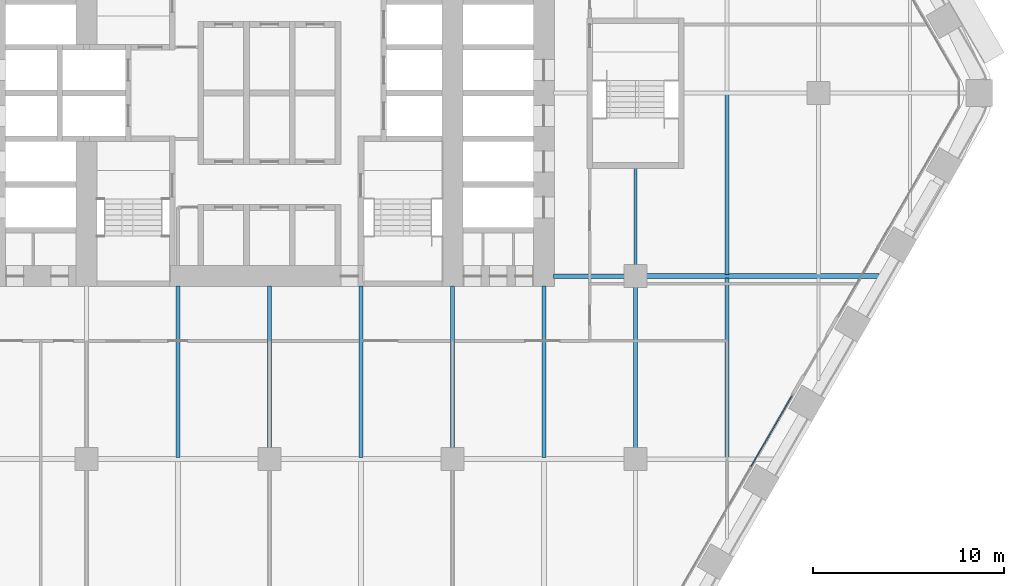
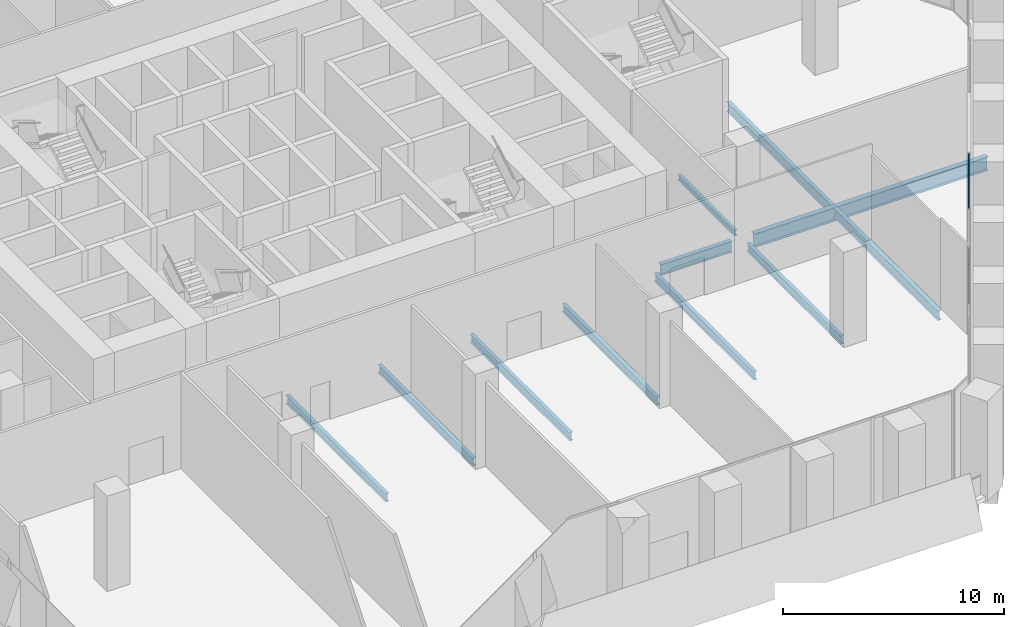
# One storey, part 6 of 27: 11 beams, 2 members, 1 element without a shape of its own.
"""IFC4 building model written with IfcOpenShell, lengths in metres."""

from ifc_helpers import new_model, si_unit, direction, frame, origin, origin_2d, place, context, subcontext, project, spatial, rectangle, i_section, extrude, material, material_profile, profile_set, type_object, element, aggregate, save


model = new_model("IFC4")

# Units and contexts
model_context = context("Model", 3, precision=1e-05, world=origin(), true_north=direction((0.0, 1.0)))
body_context = subcontext(model_context, "Body", "Model", "MODEL_VIEW")
ifc_project = project(units=[si_unit("LENGTHUNIT", "METRE"), si_unit("AREAUNIT", "SQUARE_METRE"), si_unit("VOLUMEUNIT", "CUBIC_METRE"), si_unit("PLANEANGLEUNIT", "RADIAN"), si_unit("MASSUNIT", "GRAM", prefix="KILO")], contexts=[model_context])

# Site, building, storey
site_placement = place(None, origin())
site = spatial("IfcSite", under=ifc_project, at=site_placement, CompositionType="ELEMENT")
building_placement = place(site_placement, origin())
building = spatial("IfcBuilding", under=site, at=building_placement, Name="Kolab Exchange Tower", CompositionType="ELEMENT")
storey_placement = place(building_placement, frame((0.0, 0.0, 49.89990234375)))
storey = spatial("IfcBuildingStorey", under=building, at=storey_placement, Name="L09", CompositionType="ELEMENT", Elevation=49.89990234375)

# Beams
ifc_material_1 = material(Name="Steel S355", Category="steel")
ifc_material_profile_1 = material_profile(ifc_material_1, i_section(OverallWidth=0.1650390625, OverallDepth=0.31005859375, WebThickness=0.005859375, FlangeThickness=0.009765625, at=origin_2d()), Name="W310X39")
ifc_profile_set_1 = profile_set([ifc_material_profile_1], Name="Steel S355")
beam_type_1 = type_object("IfcBeamType", Name="FLOOR BEAM W310X39", PredefinedType="BEAM", material=ifc_profile_set_1)
beam_1_placement = place(storey_placement, frame((19.199951171875, -9.0400390625, -0.40478515625), z_axis=(0.0, 1.0, 0.0), x_axis=(-1.0, 0.0, 0.0)))
element("IfcBeam", 1, at=beam_1_placement, inside=storey, type_object=beam_type_1, Name="beam/L09/fr/048", PredefinedType="BEAM", context=body_context, shape_type="SweptSolid", body=[
    extrude(i_section(OverallWidth=0.1650390625, OverallDepth=0.31005859375, WebThickness=0.005859375, FlangeThickness=0.009765625, at=origin_2d()), origin(), (0.0, 0.0, 1.0), 5.130126953125),
])
ifc_material_profile_2 = material_profile(ifc_material_1, i_section(OverallWidth=0.18994140625, OverallDepth=0.45703125, WebThickness=0.009033203125, FlangeThickness=0.014404296875, at=origin_2d()), Name="W460X74")
ifc_profile_set_2 = profile_set([ifc_material_profile_2], Name="Steel S355")
beam_type_2 = type_object("IfcBeamType", Name="FLOOR BEAM W460X74", PredefinedType="BEAM", material=ifc_profile_set_2)
beam_2_placement = place(storey_placement, frame((-4.800048828125, -19.113037109375, -0.478515625), z_axis=(0.0, 1.0, 0.0), x_axis=(-1.0, 0.0, 0.0)))
element("IfcBeam", 2, at=beam_2_placement, inside=storey, type_object=beam_type_2, Name="beam/L09/fr/027", PredefinedType="BEAM", context=body_context, shape_type="SweptSolid", body=[
    extrude(i_section(OverallWidth=0.18994140625, OverallDepth=0.45703125, WebThickness=0.009033203125, FlangeThickness=0.014404296875, at=origin_2d()), origin(), (0.0, 0.0, 1.0), 9.0029296875),
])
beam_3_placement = place(storey_placement, frame((0.0, -18.639892578125, -0.478515625), z_axis=(0.0, 1.0, 0.0), x_axis=(-1.0, 0.0, 0.0)))
element("IfcBeam", 3, at=beam_3_placement, inside=storey, type_object=beam_type_2, Name="beam/L09/fr/031", PredefinedType="BEAM", context=body_context, shape_type="SweptSolid", body=[
    extrude(i_section(OverallWidth=0.18994140625, OverallDepth=0.45703125, WebThickness=0.009033203125, FlangeThickness=0.014404296875, at=origin_2d()), origin(), (0.0, 0.0, 1.0), 8.52978515625),
])
beam_4_placement = place(storey_placement, frame((4.800048828125, -19.113037109375, -0.478515625), z_axis=(0.0, 1.0, 0.0), x_axis=(-1.0, 0.0, 0.0)))
element("IfcBeam", 4, at=beam_4_placement, inside=storey, type_object=beam_type_2, Name="beam/L09/fr/035", PredefinedType="BEAM", context=body_context, shape_type="SweptSolid", body=[
    extrude(i_section(OverallWidth=0.18994140625, OverallDepth=0.45703125, WebThickness=0.009033203125, FlangeThickness=0.014404296875, at=origin_2d()), origin(), (0.0, 0.0, 1.0), 9.0029296875),
])
beam_5_placement = place(storey_placement, frame((9.60009765625, -18.639892578125, -0.478515625), z_axis=(0.0, 1.0, 0.0), x_axis=(-1.0, 0.0, 0.0)))
element("IfcBeam", 5, at=beam_5_placement, inside=storey, type_object=beam_type_2, Name="beam/L09/fr/039", PredefinedType="BEAM", context=body_context, shape_type="SweptSolid", body=[
    extrude(i_section(OverallWidth=0.18994140625, OverallDepth=0.45703125, WebThickness=0.009033203125, FlangeThickness=0.014404296875, at=origin_2d()), origin(), (0.0, 0.0, 1.0), 8.52978515625),
])
beam_6_placement = place(storey_placement, frame((14.39990234375, -19.113037109375, -0.478515625), z_axis=(0.0, 1.0, 0.0), x_axis=(-1.0, 0.0, 0.0)))
element("IfcBeam", 6, at=beam_6_placement, inside=storey, type_object=beam_type_2, Name="beam/L09/fr/043", PredefinedType="BEAM", context=body_context, shape_type="SweptSolid", body=[
    extrude(i_section(OverallWidth=0.18994140625, OverallDepth=0.45703125, WebThickness=0.009033203125, FlangeThickness=0.014404296875, at=origin_2d()), origin(), (0.0, 0.0, 1.0), 9.0029296875),
])
beam_7_placement = place(storey_placement, frame((19.199951171875, -18.639892578125, -0.478515625), z_axis=(0.0, 1.0, 0.0), x_axis=(-1.0, 0.0, 0.0)))
element("IfcBeam", 7, at=beam_7_placement, inside=storey, type_object=beam_type_2, Name="beam/L09/fr/047", PredefinedType="BEAM", context=body_context, shape_type="SweptSolid", body=[
    extrude(i_section(OverallWidth=0.18994140625, OverallDepth=0.45703125, WebThickness=0.009033203125, FlangeThickness=0.014404296875, at=origin_2d()), origin(), (0.0, 0.0, 1.0), 8.47998046875),
])
ifc_material_profile_3 = material_profile(ifc_material_1, i_section(OverallWidth=0.208984375, OverallDepth=0.532958984375, WebThickness=0.01025390625, FlangeThickness=0.015625, at=origin_2d()), Name="W530X92")
ifc_profile_set_3 = profile_set([ifc_material_profile_3], Name="Steel S355")
beam_type_3 = type_object("IfcBeamType", Name="FLOOR BEAM W530X92", PredefinedType="BEAM", material=ifc_profile_set_3)
beam_8_placement = place(storey_placement, frame((24.0, -19.1259765625, -0.516357421875), z_axis=(0.0, 1.0, 0.0), x_axis=(-1.0, 0.0, 0.0)))
element("IfcBeam", 8, at=beam_8_placement, inside=storey, type_object=beam_type_3, Name="beam/L09/fr/053", PredefinedType="BEAM", context=body_context, shape_type="SweptSolid", body=[
    extrude(i_section(OverallWidth=0.208984375, OverallDepth=0.532958984375, WebThickness=0.01025390625, FlangeThickness=0.015625, at=origin_2d()), origin(), (0.0, 0.0, 1.0), 9.432373046875),
])
beam_9_placement = place(storey_placement, frame((24.0, -9.506591796875, -0.516357421875), z_axis=(0.0, 1.0, 0.0), x_axis=(-1.0, 0.0, 0.0)))
element("IfcBeam", 9, at=beam_9_placement, inside=storey, type_object=beam_type_3, Name="beam/L09/fr/054", PredefinedType="BEAM", context=body_context, shape_type="SweptSolid", body=[
    extrude(i_section(OverallWidth=0.208984375, OverallDepth=0.532958984375, WebThickness=0.01025390625, FlangeThickness=0.015625, at=origin_2d()), origin(), (0.0, 0.0, 1.0), 9.4326171875),
])
ifc_material_profile_4 = material_profile(ifc_material_1, i_section(OverallWidth=0.22802734375, OverallDepth=0.60791015625, WebThickness=0.01123046875, FlangeThickness=0.017333984375, at=origin_2d()), Name="W610X113")
ifc_profile_set_4 = profile_set([ifc_material_profile_4], Name="Steel S355")
beam_type_4 = type_object("IfcBeamType", Name="FLOOR GIRDER W610X113", PredefinedType="BEAM", material=ifc_profile_set_4)
beam_10_placement = place(storey_placement, frame((14.909912109375, -9.60009765625, -0.553955078125), z_axis=(1.0, 0.0, 0.0), x_axis=(0.0, 1.0, 0.0)))
element("IfcBeam", 10, at=beam_10_placement, inside=storey, type_object=beam_type_4, Name="beam/L09/gd/017", PredefinedType="BEAM", context=body_context, shape_type="SweptSolid", body=[
    extrude(i_section(OverallWidth=0.22802734375, OverallDepth=0.60791015625, WebThickness=0.01123046875, FlangeThickness=0.017333984375, at=origin_2d()), origin(), (0.0, 0.0, 1.0), 3.72998046875),
])
ifc_material_profile_5 = material_profile(ifc_material_1, i_section(OverallWidth=0.26708984375, OverallDepth=0.761962890625, WebThickness=0.014404296875, FlangeThickness=0.021484375, at=origin_2d()), Name="W760X173")
ifc_profile_set_5 = profile_set([ifc_material_profile_5], Name="Steel S355")
beam_type_5 = type_object("IfcBeamType", Name="FLOOR GIRDER W760X173", PredefinedType="BEAM", material=ifc_profile_set_5)
beam_11_placement = place(storey_placement, frame((19.760009765625, -9.60009765625, -0.630859375), z_axis=(1.0, 0.0, 0.0), x_axis=(0.0, 1.0, 0.0)))
element("IfcBeam", 11, at=beam_11_placement, inside=storey, type_object=beam_type_5, Name="beam/L09/gd/021", PredefinedType="BEAM", context=body_context, shape_type="SweptSolid", body=[
    extrude(i_section(OverallWidth=0.26708984375, OverallDepth=0.761962890625, WebThickness=0.014404296875, FlangeThickness=0.021484375, at=origin_2d()), origin(), (0.0, 0.0, 1.0), 12.213623046875),
])

# Curtain wall, members
ifc_material_2 = material(Name="Aluminium EN AW-6063 T6", Category="aluminium")
curtain_wall_type = type_object("IfcCurtainWallType", Name="UNITISED LOW ZONE CURTAIN WALL", PredefinedType="NOTDEFINED", material=ifc_material_2)
curtain_wall_placement = place(storey_placement, origin())
curtain_wall = element("IfcCurtainWall", 12, at=curtain_wall_placement, inside=storey, type_object=curtain_wall_type, Name="cw/L09/F3-2", PredefinedType="NOTDEFINED")
ifc_material_profile_6 = material_profile(ifc_material_2, rectangle(XDim=0.06005859375, YDim=0.10009765625, at=origin_2d()), Name="RECT 60X100")
ifc_profile_set_6 = profile_set([ifc_material_profile_6], Name="Aluminium EN AW-6063 T6")
member_type = type_object("IfcMemberType", Name="UNITISED LOW ZONE TRANSOM 60 X 100", PredefinedType="USERDEFINED", material=ifc_profile_set_6)
member_1_placement = place(storey_placement, frame((27.401611328125, -15.8896484375, 0.030029296875), z_axis=(-0.499976099074, -0.866039202551, 0.0), x_axis=(0.866039202551, -0.499976099074, 0.0)))
member_1 = element("IfcMember", 13, at=member_1_placement, type_object=member_type, Name="CW1 transom 1.1", ObjectType="TRANSOM", PredefinedType="USERDEFINED", context=body_context, shape_type="SweptSolid", body=[
    extrude(rectangle(XDim=0.06005859375, YDim=0.10009765625, at=origin_2d()), origin(), (0.0, 0.0, 1.0), 4.277099609375),
])
member_2_placement = place(storey_placement, frame((27.401611328125, -15.8896484375, 5.22021484375), z_axis=(-0.499976099074, -0.866039202551, 0.0), x_axis=(0.866039202551, -0.499976099074, 0.0)))
member_2 = element("IfcMember", 14, at=member_2_placement, type_object=member_type, Name="CW1 transom 1.2", ObjectType="TRANSOM", PredefinedType="USERDEFINED", context=body_context, shape_type="SweptSolid", body=[
    extrude(rectangle(XDim=0.06005859375, YDim=0.10009765625, at=origin_2d()), origin(), (0.0, 0.0, 1.0), 4.277099609375),
])
aggregate(curtain_wall, [member_1, member_2])

save(model, "model.ifc")
